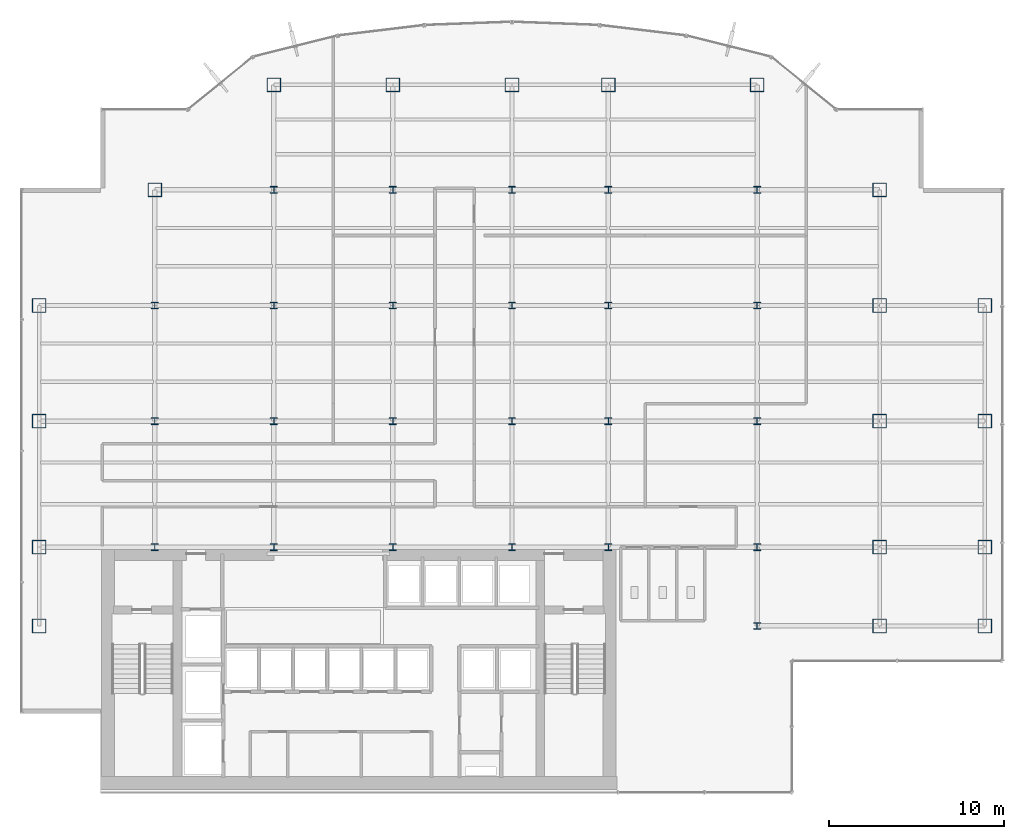
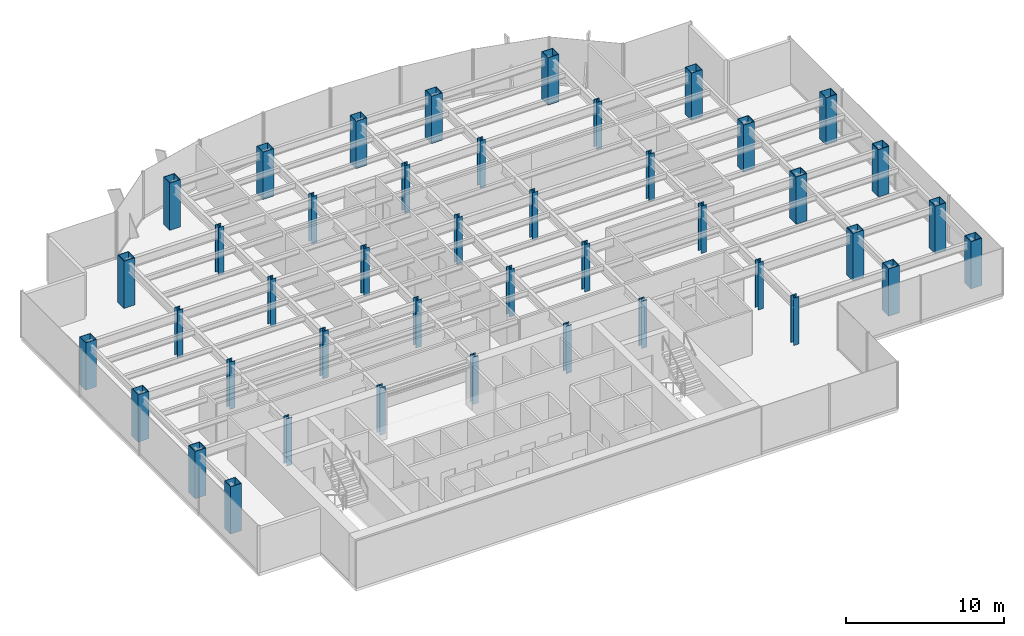
# One storey, part 1 of 26: 43 columns.
"""IFC4 building model written with IfcOpenShell, lengths in metres."""

from ifc_helpers import new_model, si_unit, derived_unit, direction, frame, origin, origin_2d, place, context, subcontext, project, spatial, hollow_rectangle, i_section, extrude, source, transform, mapped, material, material_profile, profile_set, type_object, element, save


model = new_model("IFC4")

# Units and contexts
model_context = context("Model", 3, precision=1e-05, world=origin(), true_north=direction((0.0, 1.0)))
body_context = subcontext(model_context, "Body", "Model", "MODEL_VIEW")
ifc_project = project(units=[si_unit("LENGTHUNIT", "METRE"), si_unit("AREAUNIT", "SQUARE_METRE"), si_unit("VOLUMEUNIT", "CUBIC_METRE"), si_unit("PLANEANGLEUNIT", "RADIAN"), si_unit("MASSUNIT", "GRAM", prefix="KILO"), derived_unit("THERMALTRANSMITTANCEUNIT", [(si_unit("POWERUNIT", "WATT"), 1), (si_unit("LENGTHUNIT", "METRE"), -2), (si_unit("THERMODYNAMICTEMPERATUREUNIT", "KELVIN"), -1)])], contexts=[model_context])

# Site, building, storey
site_placement = place(None, origin())
site = spatial("IfcSite", under=ifc_project, at=site_placement, CompositionType="ELEMENT")
building_placement = place(site_placement, origin())
building = spatial("IfcBuilding", under=site, at=building_placement, Name="Skarnbrae Concourse Arena and Tower", CompositionType="ELEMENT")
storey_placement = place(building_placement, frame((0.0, 0.0, 114.199951171875)))
storey = spatial("IfcBuildingStorey", under=building, at=storey_placement, Name="L28", CompositionType="ELEMENT", Elevation=114.199951171875)

# Columns
ifc_material = material(Name="Steel CSA G40.21 350W", Category="steel")
ifc_material_profile_1 = material_profile(ifc_material, hollow_rectangle(XDim=0.800048828125, YDim=0.800048828125, WallThickness=0.0400390625, at=origin_2d()), Name="BOX800X800X40")
ifc_profile_set_1 = profile_set([ifc_material_profile_1], Name="Steel CSA G40.21 350W")
column_type_1 = type_object("IfcColumnType", Name="COL-TUBE-BOX800", PredefinedType="COLUMN", material=ifc_profile_set_1)
shared_shape_1 = source(origin(), body_context, "Body", "SweptSolid", [
    extrude(hollow_rectangle(XDim=0.800048828125, YDim=0.800048828125, WallThickness=0.0400390625, at=origin_2d()), origin(), (0.0, 0.0, 1.0), 3.650146484375),
])
for number, where, z_axis, x_axis, name in (
    (1, (1.0, 9.5, 0.0), (0.0, 0.0, 1.0), (1.0, 0.0, 0.0), "L28 Tower column PC_01_01"),
    (2, (1.0, 14.0, 0.0), (0.0, 0.0, 1.0), (1.0, 0.0, 0.0), "L28 Tower column PC_01_02"),
    (3, (1.0, 21.199951171875, 0.0), (0.0, 0.0, 1.0), (1.0, 0.0, 0.0), "L28 Tower column PC_01_03"),
    (4, (1.0, 27.800048828125, 0.0), (0.0, 0.0, 1.0), (1.0, 0.0, 0.0), "L28 Tower column PC_01_04"),
    (5, (7.60009765625, 34.39990234375, 0.0), (0.0, 0.0, 1.0), (1.0, 0.0, 0.0), "L28 Tower column PC_02_05"),
    (6, (14.39990234375, 40.39990234375, 0.0), (0.0, 0.0, 1.0), (1.0, 0.0, 0.0), "L28 Tower column PC_03_06"),
    (7, (21.199951171875, 40.39990234375, 0.0), (0.0, 0.0, 1.0), (1.0, 0.0, 0.0), "L28 Tower column PC_04_06"),
    (8, (28.0, 40.39990234375, 0.0), (0.0, 0.0, 1.0), (1.0, 0.0, 0.0), "L28 Tower column PC_05_06"),
    (9, (33.5, 40.39990234375, 0.0), (0.0, 0.0, 1.0), (1.0, 0.0, 0.0), "L28 Tower column PC_06_06"),
    (10, (42.0, 40.39990234375, 0.0), (0.0, 0.0, 1.0), (1.0, 0.0, 0.0), "L28 Tower column PC_07_06"),
    (11, (49.0, 9.5, 0.0), (0.0, 0.0, 1.0), (1.0, 0.0, 0.0), "L28 Tower column PC_08_01"),
    (12, (49.0, 14.0, 0.0), (0.0, 0.0, 1.0), (1.0, 0.0, 0.0), "L28 Tower column PC_08_02"),
    (13, (49.0, 21.199951171875, 0.0), (0.0, 0.0, 1.0), (1.0, 0.0, 0.0), "L28 Tower column PC_08_03"),
    (14, (49.0, 27.800048828125, 0.0), (0.0, 0.0, 1.0), (1.0, 0.0, 0.0), "L28 Tower column PC_08_04"),
    (15, (49.0, 34.39990234375, 0.0), (0.0, 0.0, 1.0), (1.0, 0.0, 0.0), "L28 Tower column PC_08_05"),
    (16, (55.0, 9.5, 0.0), (0.0, 0.0, 1.0), (1.0, 0.0, 0.0), "L28 Tower column PC_09_01"),
    (17, (55.0, 14.0, 0.0), (0.0, 0.0, 1.0), (1.0, 0.0, 0.0), "L28 Tower column PC_09_02"),
    (18, (55.0, 21.199951171875, 0.0), (0.0, 0.0, 1.0), (1.0, 0.0, 0.0), "L28 Tower column PC_09_03"),
    (19, (55.0, 27.800048828125, 0.0), (0.0, 0.0, 1.0), (1.0, 0.0, 0.0), "L28 Tower column PC_09_04"),
):
    element("IfcColumn", number, at=place(storey_placement, frame(where, z_axis=z_axis, x_axis=x_axis)), inside=storey, type_object=column_type_1, Name=name, PredefinedType="COLUMN", context=body_context, shape_type="MappedRepresentation", body=[
        mapped(shared_shape_1, transform((0.0, 0.0, 0.0))),
    ])
ifc_material_profile_2 = material_profile(ifc_material, i_section(OverallWidth=0.39892578125, OverallDepth=0.39306640625, WebThickness=0.022705078125, FlangeThickness=0.03662109375, at=origin_2d()), Name="W360X287")
ifc_profile_set_2 = profile_set([ifc_material_profile_2], Name="Steel CSA G40.21 350W")
column_type_2 = type_object("IfcColumnType", Name="COL-INT-W360X287", PredefinedType="COLUMN", material=ifc_profile_set_2)
shared_shape_2 = source(origin(), body_context, "Body", "SweptSolid", [
    extrude(i_section(OverallWidth=0.39892578125, OverallDepth=0.39306640625, WebThickness=0.022705078125, FlangeThickness=0.03662109375, at=origin_2d()), origin(), (0.0, 0.0, 1.0), 3.650146484375),
])
for number, where, z_axis, x_axis, name in (
    (20, (7.60009765625, 14.0, 0.0), (0.0, 0.0, 1.0), (1.0, 0.0, 0.0), "L28 Tower column IC_02_02"),
    (21, (7.60009765625, 21.199951171875, 0.0), (0.0, 0.0, 1.0), (1.0, 0.0, 0.0), "L28 Tower column IC_02_03"),
    (22, (7.60009765625, 27.800048828125, 0.0), (0.0, 0.0, 1.0), (1.0, 0.0, 0.0), "L28 Tower column IC_02_04"),
    (23, (14.39990234375, 14.0, 0.0), (0.0, 0.0, 1.0), (1.0, 0.0, 0.0), "L28 Tower column IC_03_02"),
    (24, (14.39990234375, 21.199951171875, 0.0), (0.0, 0.0, 1.0), (1.0, 0.0, 0.0), "L28 Tower column IC_03_03"),
    (25, (14.39990234375, 27.800048828125, 0.0), (0.0, 0.0, 1.0), (1.0, 0.0, 0.0), "L28 Tower column IC_03_04"),
    (26, (14.39990234375, 34.39990234375, 0.0), (0.0, 0.0, 1.0), (1.0, 0.0, 0.0), "L28 Tower column IC_03_05"),
    (27, (21.199951171875, 14.0, 0.0), (0.0, 0.0, 1.0), (1.0, 0.0, 0.0), "L28 Tower column IC_04_02"),
    (28, (21.199951171875, 21.199951171875, 0.0), (0.0, 0.0, 1.0), (1.0, 0.0, 0.0), "L28 Tower column IC_04_03"),
    (29, (21.199951171875, 27.800048828125, 0.0), (0.0, 0.0, 1.0), (1.0, 0.0, 0.0), "L28 Tower column IC_04_04"),
    (30, (21.199951171875, 34.39990234375, 0.0), (0.0, 0.0, 1.0), (1.0, 0.0, 0.0), "L28 Tower column IC_04_05"),
    (31, (28.0, 14.0, 0.0), (0.0, 0.0, 1.0), (1.0, 0.0, 0.0), "L28 Tower column IC_05_02"),
    (32, (28.0, 21.199951171875, 0.0), (0.0, 0.0, 1.0), (1.0, 0.0, 0.0), "L28 Tower column IC_05_03"),
    (33, (28.0, 27.800048828125, 0.0), (0.0, 0.0, 1.0), (1.0, 0.0, 0.0), "L28 Tower column IC_05_04"),
    (34, (28.0, 34.39990234375, 0.0), (0.0, 0.0, 1.0), (1.0, 0.0, 0.0), "L28 Tower column IC_05_05"),
    (35, (33.5, 14.0, 0.0), (0.0, 0.0, 1.0), (1.0, 0.0, 0.0), "L28 Tower column IC_06_02"),
    (36, (33.5, 21.199951171875, 0.0), (0.0, 0.0, 1.0), (1.0, 0.0, 0.0), "L28 Tower column IC_06_03"),
    (37, (33.5, 27.800048828125, 0.0), (0.0, 0.0, 1.0), (1.0, 0.0, 0.0), "L28 Tower column IC_06_04"),
    (38, (33.5, 34.39990234375, 0.0), (0.0, 0.0, 1.0), (1.0, 0.0, 0.0), "L28 Tower column IC_06_05"),
    (39, (42.0, 9.5, 0.0), (0.0, 0.0, 1.0), (1.0, 0.0, 0.0), "L28 Tower column IC_07_01"),
    (40, (42.0, 14.0, 0.0), (0.0, 0.0, 1.0), (1.0, 0.0, 0.0), "L28 Tower column IC_07_02"),
    (41, (42.0, 21.199951171875, 0.0), (0.0, 0.0, 1.0), (1.0, 0.0, 0.0), "L28 Tower column IC_07_03"),
    (42, (42.0, 27.800048828125, 0.0), (0.0, 0.0, 1.0), (1.0, 0.0, 0.0), "L28 Tower column IC_07_04"),
    (43, (42.0, 34.39990234375, 0.0), (0.0, 0.0, 1.0), (1.0, 0.0, 0.0), "L28 Tower column IC_07_05"),
):
    element("IfcColumn", number, at=place(storey_placement, frame(where, z_axis=z_axis, x_axis=x_axis)), inside=storey, type_object=column_type_2, Name=name, PredefinedType="COLUMN", context=body_context, shape_type="MappedRepresentation", body=[
        mapped(shared_shape_2, transform((0.0, 0.0, 0.0))),
    ])

save(model, "model.ifc")
